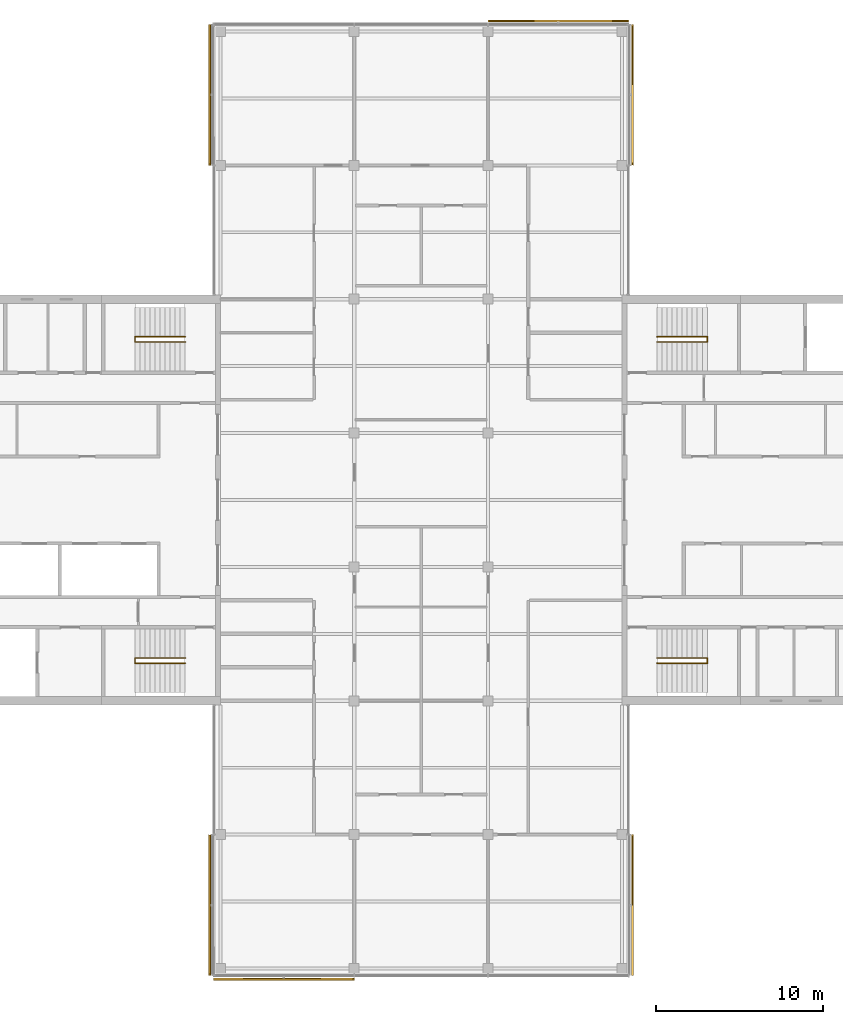
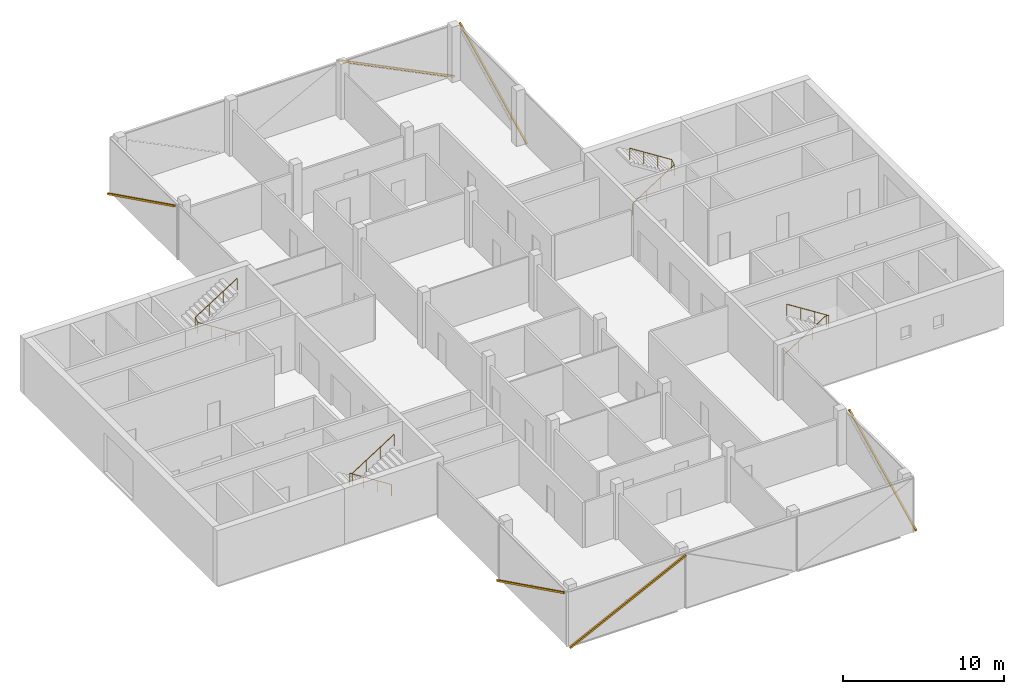
# One storey, part 16 of 16: 6 shading devices, 4 railings, 6 elements without a shape of their own.
"""IFC4 building model written with IfcOpenShell, lengths in metres."""

from ifc_helpers import new_model, si_unit, direction, frame, origin, origin_2d, place, context, subcontext, project, spatial, rectangle, circle, extrude, material, material_profile, profile_set, type_object, element, aggregate, save


model = new_model("IFC4")

# Units and contexts
model_context = context("Model", 3, precision=1e-05, world=origin(), true_north=direction((0.0, 1.0)))
body_context = subcontext(model_context, "Body", "Model", "MODEL_VIEW")
ifc_project = project(units=[si_unit("LENGTHUNIT", "METRE"), si_unit("AREAUNIT", "SQUARE_METRE"), si_unit("VOLUMEUNIT", "CUBIC_METRE"), si_unit("PLANEANGLEUNIT", "RADIAN"), si_unit("MASSUNIT", "GRAM", prefix="KILO")], contexts=[model_context])

# Site, building, storey
site_placement = place(None, origin())
site = spatial("IfcSite", under=ifc_project, at=site_placement, CompositionType="ELEMENT")
building_placement = place(site_placement, origin())
building = spatial("IfcBuilding", under=site, at=building_placement, Name="Crosswind Convention Tower", CompositionType="ELEMENT")
storey_placement = place(building_placement, frame((0.0, 0.0, 336.5)))
storey = spatial("IfcBuildingStorey", under=building, at=storey_placement, Name="L73", CompositionType="ELEMENT", Elevation=336.5)

# Railings
ifc_material_1 = material(Name="Stainless steel", Category="steel")
railing_type = type_object("IfcRailingType", Name="Stair handrail 900", PredefinedType="HANDRAIL", material=ifc_material_1)
railing_1_placement = place(storey_placement, frame((139.10009765625, 109.43994140625, 0.19091796875)))
element("IfcRailing", 1, at=railing_1_placement, inside=storey, type_object=railing_type, Name="Stair ST1 handrail L73", PredefinedType="HANDRAIL", context=body_context, shape_type="SweptSolid", body=[
    extrude(circle(Radius=0.02392578125, at=origin_2d()), frame((0.0, 0.0, 0.8759765625), z_axis=(0.843650179428, 0.0, 0.536893261973), x_axis=(0.0, 1.0, 0.0)), (0.0, 0.0, 1.0), 3.555908203125),
    extrude(circle(Radius=0.02392578125, at=origin_2d()), frame((3.0, 0.0, 2.78515625), z_axis=(0.0, 0.858819504967, 0.512278301208), x_axis=(-1.0, 0.0, 0.0)), (0.0, 0.0, 1.0), 0.372802734375),
    extrude(circle(Radius=0.02392578125, at=origin_2d()), frame((3.0, 0.320068359375, 2.97607421875), z_axis=(-0.843681277094, 0.0, 0.536844393359), x_axis=(0.0, -1.0, 0.0)), (0.0, 0.0, 1.0), 3.555908203125),
    extrude(circle(Radius=0.02099609375, at=origin_2d()), origin(), (0.0, 0.0, 1.0), 0.851806640625),
    extrude(circle(Radius=0.02099609375, at=origin_2d()), frame((1.0, 0.0, 0.636474609375)), (0.0, 0.0, 1.0), 0.851806640625),
    extrude(circle(Radius=0.02099609375, at=origin_2d()), frame((2.0, 0.0, 1.272705078125)), (0.0, 0.0, 1.0), 0.851806640625),
    extrude(circle(Radius=0.02099609375, at=origin_2d()), frame((3.0, 0.0, 1.9091796875)), (0.0, 0.0, 1.0), 0.851806640625),
    extrude(circle(Radius=0.02099609375, at=origin_2d()), frame((3.0, 0.320068359375, 2.10009765625)), (0.0, 0.0, 1.0), 0.851806640625),
    extrude(circle(Radius=0.02099609375, at=origin_2d()), frame((2.0, 0.320068359375, 2.736328125)), (0.0, 0.0, 1.0), 0.851806640625),
    extrude(circle(Radius=0.02099609375, at=origin_2d()), frame((1.0, 0.320068359375, 3.372802734375)), (0.0, 0.0, 1.0), 0.851806640625),
    extrude(circle(Radius=0.02099609375, at=origin_2d()), frame((0.0, 0.320068359375, 4.009033203125)), (0.0, 0.0, 1.0), 0.851806640625),
])
railing_2_placement = place(storey_placement, frame((139.10009765625, 90.56005859375, 0.19091796875)))
element("IfcRailing", 2, at=railing_2_placement, inside=storey, type_object=railing_type, Name="Stair ST2 handrail L73", PredefinedType="HANDRAIL", context=body_context, shape_type="SweptSolid", body=[
    extrude(circle(Radius=0.02392578125, at=origin_2d()), frame((0.0, 0.0, 0.8759765625), z_axis=(0.843650179428, 0.0, 0.536893261973), x_axis=(0.0, 1.0, 0.0)), (0.0, 0.0, 1.0), 3.555908203125),
    extrude(circle(Radius=0.02392578125, at=origin_2d()), frame((3.0, 0.0, 2.78515625), z_axis=(0.0, -0.858819504967, 0.512278301208), x_axis=(1.0, 0.0, 0.0)), (0.0, 0.0, 1.0), 0.372802734375),
    extrude(circle(Radius=0.02392578125, at=origin_2d()), frame((3.0, -0.320068359375, 2.97607421875), z_axis=(-0.843681277094, 0.0, 0.536844393359), x_axis=(0.0, -1.0, 0.0)), (0.0, 0.0, 1.0), 3.555908203125),
    extrude(circle(Radius=0.02099609375, at=origin_2d()), origin(), (0.0, 0.0, 1.0), 0.851806640625),
    extrude(circle(Radius=0.02099609375, at=origin_2d()), frame((1.0, 0.0, 0.636474609375)), (0.0, 0.0, 1.0), 0.851806640625),
    extrude(circle(Radius=0.02099609375, at=origin_2d()), frame((2.0, 0.0, 1.272705078125)), (0.0, 0.0, 1.0), 0.851806640625),
    extrude(circle(Radius=0.02099609375, at=origin_2d()), frame((3.0, 0.0, 1.9091796875)), (0.0, 0.0, 1.0), 0.851806640625),
    extrude(circle(Radius=0.02099609375, at=origin_2d()), frame((3.0, -0.320068359375, 2.10009765625)), (0.0, 0.0, 1.0), 0.851806640625),
    extrude(circle(Radius=0.02099609375, at=origin_2d()), frame((2.0, -0.320068359375, 2.736328125)), (0.0, 0.0, 1.0), 0.851806640625),
    extrude(circle(Radius=0.02099609375, at=origin_2d()), frame((1.0, -0.320068359375, 3.372802734375)), (0.0, 0.0, 1.0), 0.851806640625),
    extrude(circle(Radius=0.02099609375, at=origin_2d()), frame((0.0, -0.320068359375, 4.009033203125)), (0.0, 0.0, 1.0), 0.851806640625),
])
railing_3_placement = place(storey_placement, frame((110.89990234375, 90.56005859375, 0.19091796875)))
element("IfcRailing", 3, at=railing_3_placement, inside=storey, type_object=railing_type, Name="Stair ST3 handrail L73", PredefinedType="HANDRAIL", context=body_context, shape_type="SweptSolid", body=[
    extrude(circle(Radius=0.02392578125, at=origin_2d()), frame((0.0, 0.0, 0.8759765625), z_axis=(-0.843650179428, 0.0, 0.536893261973), x_axis=(0.0, -1.0, 0.0)), (0.0, 0.0, 1.0), 3.555908203125),
    extrude(circle(Radius=0.02392578125, at=origin_2d()), frame((-3.0, 0.0, 2.78515625), z_axis=(0.0, -0.858819504967, 0.512278301208), x_axis=(1.0, 0.0, 0.0)), (0.0, 0.0, 1.0), 0.372802734375),
    extrude(circle(Radius=0.02392578125, at=origin_2d()), frame((-3.0, -0.320068359375, 2.97607421875), z_axis=(0.843681277094, 0.0, 0.536844393359), x_axis=(0.0, 1.0, 0.0)), (0.0, 0.0, 1.0), 3.555908203125),
    extrude(circle(Radius=0.02099609375, at=origin_2d()), origin(), (0.0, 0.0, 1.0), 0.851806640625),
    extrude(circle(Radius=0.02099609375, at=origin_2d()), frame((-1.0, 0.0, 0.636474609375)), (0.0, 0.0, 1.0), 0.851806640625),
    extrude(circle(Radius=0.02099609375, at=origin_2d()), frame((-2.0, 0.0, 1.272705078125)), (0.0, 0.0, 1.0), 0.851806640625),
    extrude(circle(Radius=0.02099609375, at=origin_2d()), frame((-3.0, 0.0, 1.9091796875)), (0.0, 0.0, 1.0), 0.851806640625),
    extrude(circle(Radius=0.02099609375, at=origin_2d()), frame((-3.0, -0.320068359375, 2.10009765625)), (0.0, 0.0, 1.0), 0.851806640625),
    extrude(circle(Radius=0.02099609375, at=origin_2d()), frame((-2.0, -0.320068359375, 2.736328125)), (0.0, 0.0, 1.0), 0.851806640625),
    extrude(circle(Radius=0.02099609375, at=origin_2d()), frame((-1.0, -0.320068359375, 3.372802734375)), (0.0, 0.0, 1.0), 0.851806640625),
    extrude(circle(Radius=0.02099609375, at=origin_2d()), frame((0.0, -0.320068359375, 4.009033203125)), (0.0, 0.0, 1.0), 0.851806640625),
])
railing_4_placement = place(storey_placement, frame((110.89990234375, 109.43994140625, 0.19091796875)))
element("IfcRailing", 4, at=railing_4_placement, inside=storey, type_object=railing_type, Name="Stair ST4 handrail L73", PredefinedType="HANDRAIL", context=body_context, shape_type="SweptSolid", body=[
    extrude(circle(Radius=0.02392578125, at=origin_2d()), frame((0.0, 0.0, 0.8759765625), z_axis=(-0.843650179428, 0.0, 0.536893261973), x_axis=(0.0, -1.0, 0.0)), (0.0, 0.0, 1.0), 3.555908203125),
    extrude(circle(Radius=0.02392578125, at=origin_2d()), frame((-3.0, 0.0, 2.78515625), z_axis=(0.0, 0.858819504967, 0.512278301208), x_axis=(-1.0, 0.0, 0.0)), (0.0, 0.0, 1.0), 0.372802734375),
    extrude(circle(Radius=0.02392578125, at=origin_2d()), frame((-3.0, 0.320068359375, 2.97607421875), z_axis=(0.843681277094, 0.0, 0.536844393359), x_axis=(0.0, 1.0, 0.0)), (0.0, 0.0, 1.0), 3.555908203125),
    extrude(circle(Radius=0.02099609375, at=origin_2d()), origin(), (0.0, 0.0, 1.0), 0.851806640625),
    extrude(circle(Radius=0.02099609375, at=origin_2d()), frame((-1.0, 0.0, 0.636474609375)), (0.0, 0.0, 1.0), 0.851806640625),
    extrude(circle(Radius=0.02099609375, at=origin_2d()), frame((-2.0, 0.0, 1.272705078125)), (0.0, 0.0, 1.0), 0.851806640625),
    extrude(circle(Radius=0.02099609375, at=origin_2d()), frame((-3.0, 0.0, 1.9091796875)), (0.0, 0.0, 1.0), 0.851806640625),
    extrude(circle(Radius=0.02099609375, at=origin_2d()), frame((-3.0, 0.320068359375, 2.10009765625)), (0.0, 0.0, 1.0), 0.851806640625),
    extrude(circle(Radius=0.02099609375, at=origin_2d()), frame((-2.0, 0.320068359375, 2.736328125)), (0.0, 0.0, 1.0), 0.851806640625),
    extrude(circle(Radius=0.02099609375, at=origin_2d()), frame((-1.0, 0.320068359375, 3.372802734375)), (0.0, 0.0, 1.0), 0.851806640625),
    extrude(circle(Radius=0.02099609375, at=origin_2d()), frame((0.0, 0.320068359375, 4.009033203125)), (0.0, 0.0, 1.0), 0.851806640625),
])

# Curtain wall, shading device
ifc_material_2 = material(Name="Aluminium unitised curtain wall", Category="aluminium")
curtain_wall_type = type_object("IfcCurtainWallType", Name="OFFICE UNITISED WALL 220", PredefinedType="USERDEFINED", material=ifc_material_2)
curtain_wall_1_placement = place(storey_placement, origin())
curtain_wall_1 = element("IfcCurtainWall", 5, at=curtain_wall_1_placement, inside=storey, type_object=curtain_wall_type, Name="CW3 L73 N-E 1", ObjectType="UNITISED", PredefinedType="USERDEFINED")
ifc_material_3 = material(Name="Extruded terracotta", Category="masonry")
ifc_material_profile = material_profile(ifc_material_3, rectangle(XDim=0.110107421875, YDim=0.1298828125, at=origin_2d()), Name="TC 110X130")
ifc_profile_set = profile_set([ifc_material_profile], Name="Extruded terracotta")
shading_device_type = type_object("IfcShadingDeviceType", Name="TERRACOTTA BAGUETTE 130X110", PredefinedType="USERDEFINED", material=ifc_profile_set)
shading_device_1_placement = place(storey_placement, frame((137.631103515625, 120.034912109375, -0.300048828125), z_axis=(0.0, 0.896136229865, 0.443779063863), x_axis=(-1.0, 0.0, 0.0)))
shading_device_1 = element("IfcShadingDevice", 6, at=shading_device_1_placement, type_object=shading_device_type, Name="CW3 terracotta baguette 1", ObjectType="BAGUETTE", PredefinedType="USERDEFINED", context=body_context, shape_type="SweptSolid", body=[
    extrude(rectangle(XDim=0.110107421875, YDim=0.1298828125, at=origin_2d()), origin(), (0.0, 0.0, 1.0), 9.306640625),
])
aggregate(curtain_wall_1, [shading_device_1])

curtain_wall_2_placement = place(storey_placement, origin())
curtain_wall_2 = element("IfcCurtainWall", 7, at=curtain_wall_2_placement, inside=storey, type_object=curtain_wall_type, Name="CW3 L73 N-TIP 1", ObjectType="UNITISED", PredefinedType="USERDEFINED")
shading_device_2_placement = place(storey_placement, frame((137.375, 128.631103515625, -0.300048828125), z_axis=(-0.896136229865, 0.0, 0.443779063863), x_axis=(0.0, -1.0, 0.0)))
shading_device_2 = element("IfcShadingDevice", 8, at=shading_device_2_placement, type_object=shading_device_type, Name="CW3 terracotta baguette 1", ObjectType="BAGUETTE", PredefinedType="USERDEFINED", context=body_context, shape_type="SweptSolid", body=[
    extrude(rectangle(XDim=0.110107421875, YDim=0.1298828125, at=origin_2d()), origin(), (0.0, 0.0, 1.0), 9.306640625),
])
aggregate(curtain_wall_2, [shading_device_2])

curtain_wall_3_placement = place(storey_placement, origin())
curtain_wall_3 = element("IfcCurtainWall", 9, at=curtain_wall_3_placement, inside=storey, type_object=curtain_wall_type, Name="CW3 L73 N-W 1", ObjectType="UNITISED", PredefinedType="USERDEFINED")
shading_device_3_placement = place(storey_placement, frame((112.368896484375, 128.375, -0.300048828125), z_axis=(0.0, -0.896136229865, 0.443779063863), x_axis=(1.0, 0.0, 0.0)))
shading_device_3 = element("IfcShadingDevice", 10, at=shading_device_3_placement, type_object=shading_device_type, Name="CW3 terracotta baguette 1", ObjectType="BAGUETTE", PredefinedType="USERDEFINED", context=body_context, shape_type="SweptSolid", body=[
    extrude(rectangle(XDim=0.110107421875, YDim=0.1298828125, at=origin_2d()), origin(), (0.0, 0.0, 1.0), 9.306640625),
])
aggregate(curtain_wall_3, [shading_device_3])

curtain_wall_4_placement = place(storey_placement, origin())
curtain_wall_4 = element("IfcCurtainWall", 11, at=curtain_wall_4_placement, inside=storey, type_object=curtain_wall_type, Name="CW3 L73 S-W 1", ObjectType="UNITISED", PredefinedType="USERDEFINED")
shading_device_4_placement = place(storey_placement, frame((112.368896484375, 79.965087890625, -0.300048828125), z_axis=(0.0, -0.896136229865, 0.443779063863), x_axis=(1.0, 0.0, 0.0)))
shading_device_4 = element("IfcShadingDevice", 12, at=shading_device_4_placement, type_object=shading_device_type, Name="CW3 terracotta baguette 1", ObjectType="BAGUETTE", PredefinedType="USERDEFINED", context=body_context, shape_type="SweptSolid", body=[
    extrude(rectangle(XDim=0.110107421875, YDim=0.1298828125, at=origin_2d()), origin(), (0.0, 0.0, 1.0), 9.306640625),
])
aggregate(curtain_wall_4, [shading_device_4])

curtain_wall_5_placement = place(storey_placement, origin())
curtain_wall_5 = element("IfcCurtainWall", 13, at=curtain_wall_5_placement, inside=storey, type_object=curtain_wall_type, Name="CW3 L73 S-TIP 1", ObjectType="UNITISED", PredefinedType="USERDEFINED")
shading_device_5_placement = place(storey_placement, frame((112.625, 71.368896484375, -0.300048828125), z_axis=(0.896136229865, 0.0, 0.443779063863), x_axis=(0.0, 1.0, 0.0)))
shading_device_5 = element("IfcShadingDevice", 14, at=shading_device_5_placement, type_object=shading_device_type, Name="CW3 terracotta baguette 1", ObjectType="BAGUETTE", PredefinedType="USERDEFINED", context=body_context, shape_type="SweptSolid", body=[
    extrude(rectangle(XDim=0.110107421875, YDim=0.1298828125, at=origin_2d()), origin(), (0.0, 0.0, 1.0), 9.306640625),
])
aggregate(curtain_wall_5, [shading_device_5])

curtain_wall_6_placement = place(storey_placement, origin())
curtain_wall_6 = element("IfcCurtainWall", 15, at=curtain_wall_6_placement, inside=storey, type_object=curtain_wall_type, Name="CW3 L73 S-E 1", ObjectType="UNITISED", PredefinedType="USERDEFINED")
shading_device_6_placement = place(storey_placement, frame((137.631103515625, 71.625, -0.300048828125), z_axis=(0.0, 0.896136229865, 0.443779063863), x_axis=(-1.0, 0.0, 0.0)))
shading_device_6 = element("IfcShadingDevice", 16, at=shading_device_6_placement, type_object=shading_device_type, Name="CW3 terracotta baguette 1", ObjectType="BAGUETTE", PredefinedType="USERDEFINED", context=body_context, shape_type="SweptSolid", body=[
    extrude(rectangle(XDim=0.110107421875, YDim=0.1298828125, at=origin_2d()), origin(), (0.0, 0.0, 1.0), 9.306640625),
])
aggregate(curtain_wall_6, [shading_device_6])

save(model, "model.ifc")
